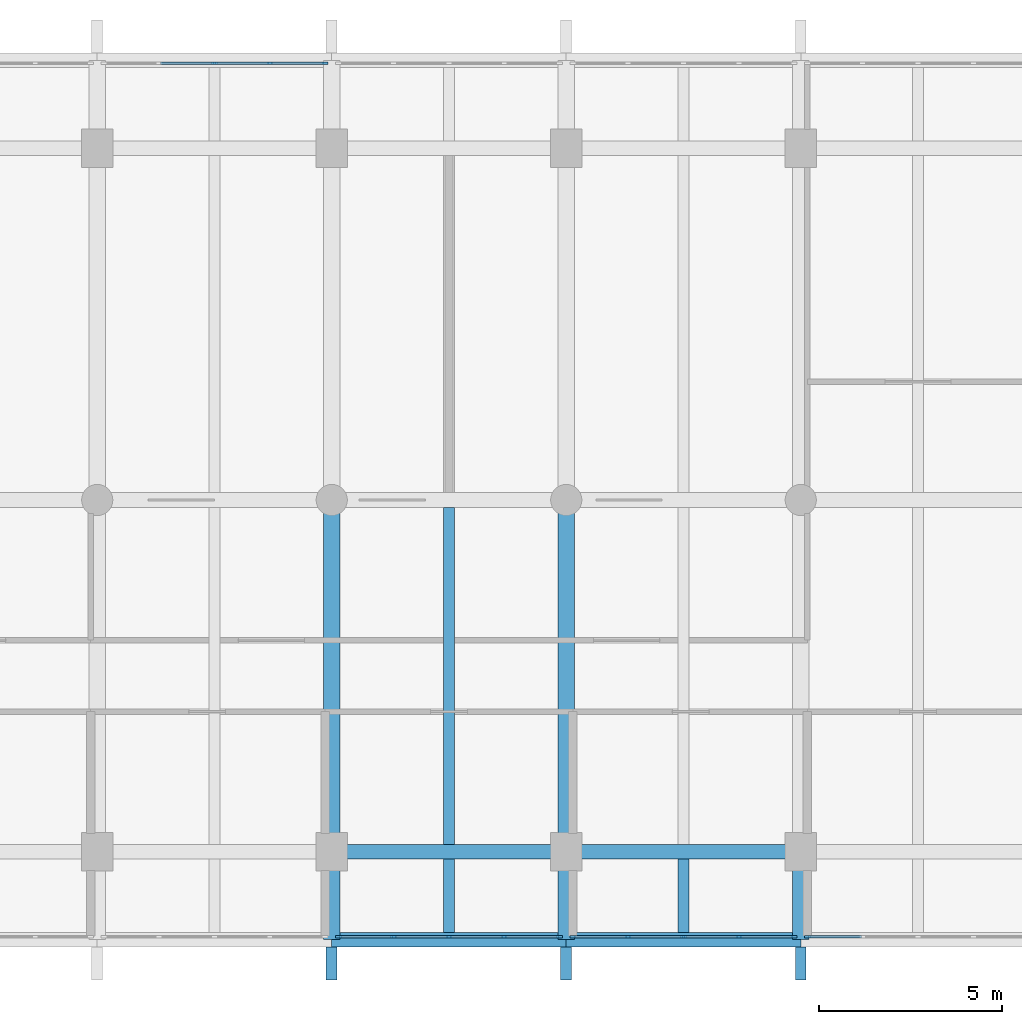
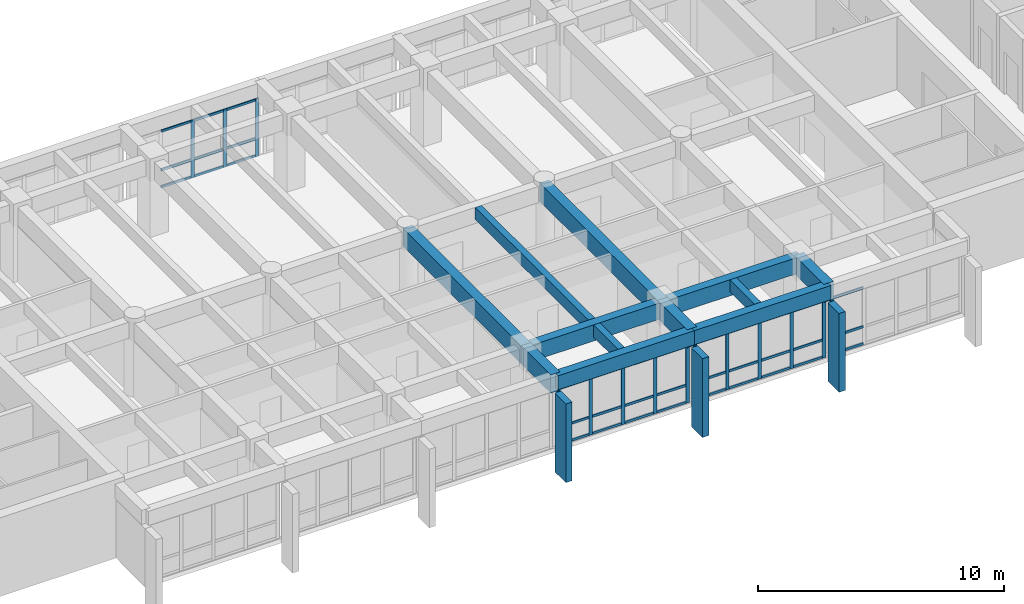
# One storey, part 4 of 15: 53 members, 12 beams, 4 elements without a shape of their own.
"""IFC4 building model written with IfcOpenShell, lengths in metres."""

from ifc_helpers import new_model, si_unit, direction, frame, origin, origin_2d, place, context, subcontext, project, spatial, rectangle, extrude, material, layer, layer_set, material_profile, profile_set, type_object, element, aggregate, save


model = new_model("IFC4")

# Units and contexts
model_context = context("Model", 3, precision=1e-05, world=origin(), true_north=direction((0.0, 1.0)))
body_context = subcontext(model_context, "Body", "Model", "MODEL_VIEW")
ifc_project = project(units=[si_unit("LENGTHUNIT", "METRE"), si_unit("AREAUNIT", "SQUARE_METRE"), si_unit("VOLUMEUNIT", "CUBIC_METRE"), si_unit("PLANEANGLEUNIT", "RADIAN"), si_unit("MASSUNIT", "GRAM", prefix="KILO")], contexts=[model_context])

# Site, building, storey
site_placement = place(None, origin())
site = spatial("IfcSite", under=ifc_project, at=site_placement, CompositionType="ELEMENT")
building_placement = place(site_placement, origin())
building = spatial("IfcBuilding", under=site, at=building_placement, Name="Fogon Plaza Fire Station and Headquarters Tower", CompositionType="ELEMENT")
storey_placement = place(building_placement, frame((0.0, 0.0, 56.10009765625)))
storey = spatial("IfcBuildingStorey", under=building, at=storey_placement, Name="L14", CompositionType="ELEMENT", Elevation=56.10009765625)

# Beams
ifc_material_1 = material(Name="Concrete C40", Category="concrete")
ifc_material_profile_1 = material_profile(ifc_material_1, rectangle(XDim=0.39990234375, YDim=0.699951171875, at=origin_2d()), Name="RC 400x700")
ifc_profile_set_1 = profile_set([ifc_material_profile_1], Name="Concrete C40")
beam_type_1 = type_object("IfcBeamType", Name="BEAM RC 400x700", PredefinedType="BEAM", material=ifc_profile_set_1)
beam_1_placement = place(storey_placement, frame((44.800048828125, 31.199951171875, 3.329833984375), z_axis=(1.0, 0.0, 0.0), x_axis=(0.0, 1.0, 0.0)))
element("IfcBeam", 1, at=beam_1_placement, inside=storey, type_object=beam_type_1, Name="beam-L14-042", PredefinedType="BEAM", context=body_context, shape_type="SweptSolid", body=[
    extrude(rectangle(XDim=0.39990234375, YDim=0.699951171875, at=origin_2d()), origin(), (0.0, 0.0, 1.0), 6.39990234375),
])
beam_2_placement = place(storey_placement, frame((51.199951171875, 31.199951171875, 3.329833984375), z_axis=(1.0, 0.0, 0.0), x_axis=(0.0, 1.0, 0.0)))
element("IfcBeam", 2, at=beam_2_placement, inside=storey, type_object=beam_type_1, Name="beam-L14-043", PredefinedType="BEAM", context=body_context, shape_type="SweptSolid", body=[
    extrude(rectangle(XDim=0.39990234375, YDim=0.699951171875, at=origin_2d()), origin(), (0.0, 0.0, 1.0), 6.400146484375),
])
ifc_material_2 = material(Name="Concrete C40", Category="concrete")
ifc_material_profile_2 = material_profile(ifc_material_2, rectangle(XDim=0.39990234375, YDim=0.800048828125, at=origin_2d()), Name="RC 400x800")
ifc_profile_set_2 = profile_set([ifc_material_profile_2], Name="Concrete C40")
beam_type_2 = type_object("IfcBeamType", Name="BEAM RC 400x800", PredefinedType="BEAM", material=ifc_profile_set_2)
beam_3_placement = place(storey_placement, frame((44.800048828125, 33.60009765625, 3.27978515625), z_axis=(1.0, 0.0, 0.0), x_axis=(0.0, 1.0, 0.0)))
element("IfcBeam", 3, at=beam_3_placement, inside=storey, type_object=beam_type_2, Name="beam-L14-024", PredefinedType="BEAM", context=body_context, shape_type="SweptSolid", body=[
    extrude(rectangle(XDim=0.39990234375, YDim=0.800048828125, at=origin_2d()), origin(), (0.0, 0.0, 1.0), 6.39990234375),
])
beam_4_placement = place(storey_placement, frame((51.199951171875, 33.60009765625, 3.27978515625), z_axis=(1.0, 0.0, 0.0), x_axis=(0.0, 1.0, 0.0)))
element("IfcBeam", 4, at=beam_4_placement, inside=storey, type_object=beam_type_2, Name="beam-L14-025", PredefinedType="BEAM", context=body_context, shape_type="SweptSolid", body=[
    extrude(rectangle(XDim=0.39990234375, YDim=0.800048828125, at=origin_2d()), origin(), (0.0, 0.0, 1.0), 6.400146484375),
])
ifc_material_3 = material(Name="Concrete C40", Category="concrete")
ifc_material_profile_3 = material_profile(ifc_material_3, rectangle(XDim=0.449951171875, YDim=0.89990234375, at=origin_2d()), Name="RC 450x900")
ifc_profile_set_3 = profile_set([ifc_material_profile_3], Name="Concrete C40")
beam_type_3 = type_object("IfcBeamType", Name="BEAM RC 450x900", PredefinedType="BEAM", material=ifc_profile_set_3)
for number, where, z_axis, x_axis, name in (
    (5, (44.800048828125, 33.60009765625, 3.22998046875), (0.0, 1.0, 0.0), (-1.0, 0.0, 0.0), "beam-L14-010"),
    (6, (51.199951171875, 33.60009765625, 3.22998046875), (0.0, 1.0, 0.0), (-1.0, 0.0, 0.0), "beam-L14-014"),
):
    element("IfcBeam", number, at=place(storey_placement, frame(where, z_axis=z_axis, x_axis=x_axis)), inside=storey, type_object=beam_type_3, Name=name, PredefinedType="BEAM", context=body_context, shape_type="SweptSolid", body=[
        extrude(rectangle(XDim=0.449951171875, YDim=0.89990234375, at=origin_2d()), origin(), (0.0, 0.0, 1.0), 9.599853515625),
    ])
ifc_material_4 = material(Name="Concrete C40", Category="concrete")
ifc_material_profile_4 = material_profile(ifc_material_4, rectangle(XDim=0.449951171875, YDim=0.89990234375, at=origin_2d()), Name="RC 450x900")
ifc_profile_set_4 = profile_set([ifc_material_profile_4], Name="Concrete C40")
beam_type_4 = type_object("IfcBeamType", Name="BEAM RC 450x900 SPAN 0.0 TO 3.0 M", PredefinedType="BEAM", material=ifc_profile_set_4)
for number, where, z_axis, x_axis, name in (
    (7, (44.800048828125, 31.199951171875, 3.22998046875), (0.0, 1.0, 0.0), (-1.0, 0.0, 0.0), "beam-L14-009"),
    (8, (51.199951171875, 31.199951171875, 3.22998046875), (0.0, 1.0, 0.0), (-1.0, 0.0, 0.0), "beam-L14-013"),
    (9, (57.60009765625, 31.199951171875, 3.22998046875), (0.0, 1.0, 0.0), (-1.0, 0.0, 0.0), "beam-L14-017"),
):
    element("IfcBeam", number, at=place(storey_placement, frame(where, z_axis=z_axis, x_axis=x_axis)), inside=storey, type_object=beam_type_4, Name=name, PredefinedType="BEAM", context=body_context, shape_type="SweptSolid", body=[
        extrude(rectangle(XDim=0.449951171875, YDim=0.89990234375, at=origin_2d()), origin(), (0.0, 0.0, 1.0), 2.400146484375),
    ])

# Curtain wall, members
ifc_material_5 = material(Name="Aluminium and glass", Category="aluminium")
ifc_layer = layer(ifc_material_5, 0.14990234375)
ifc_layer_set = layer_set([ifc_layer], Name="Aluminium and glass")
curtain_wall_type = type_object("IfcCurtainWallType", Name="Unitised Curtain Wall Run 6100x2880", PredefinedType="NOTDEFINED", material=ifc_layer_set)
curtain_wall_1_placement = place(storey_placement, origin())
curtain_wall_1 = element("IfcCurtainWall", 10, at=curtain_wall_1_placement, inside=storey, type_object=curtain_wall_type, Name="CW-6100x2880 S4 L14", PredefinedType="NOTDEFINED")
ifc_material_6 = material(Name="Aluminium", Category="aluminium")
ifc_material_profile_5 = material_profile(ifc_material_6, rectangle(XDim=0.06005859375, YDim=0.159912109375, at=origin_2d()), Name="Curtain Wall Mullion 60x160")
ifc_profile_set_5 = profile_set([ifc_material_profile_5], Name="Aluminium")
member_type_1 = type_object("IfcMemberType", Name="Curtain Wall Mullion 60x160", PredefinedType="MULLION", material=ifc_profile_set_5)
member_1_placement = place(storey_placement, frame((44.97998046875, 31.280029296875, 0.0), z_axis=(0.0, 0.0, 1.0), x_axis=(0.0, 1.0, 0.0)))
member_1 = element("IfcMember", 11, at=member_1_placement, type_object=member_type_1, Name="CW-6100x2880 mullion 1", PredefinedType="MULLION", context=body_context, shape_type="SweptSolid", body=[
    extrude(rectangle(XDim=0.06005859375, YDim=0.159912109375, at=origin_2d()), origin(), (0.0, 0.0, 1.0), 2.8798828125),
])
member_2_placement = place(storey_placement, frame((46.489990234375, 31.280029296875, 0.0), z_axis=(0.0, 0.0, 1.0), x_axis=(0.0, 1.0, 0.0)))
member_2 = element("IfcMember", 12, at=member_2_placement, type_object=member_type_1, Name="CW-6100x2880 mullion 2", PredefinedType="MULLION", context=body_context, shape_type="SweptSolid", body=[
    extrude(rectangle(XDim=0.06005859375, YDim=0.159912109375, at=origin_2d()), origin(), (0.0, 0.0, 1.0), 2.8798828125),
])
member_3_placement = place(storey_placement, frame((48.0, 31.280029296875, 0.0), z_axis=(0.0, 0.0, 1.0), x_axis=(0.0, 1.0, 0.0)))
member_3 = element("IfcMember", 13, at=member_3_placement, type_object=member_type_1, Name="CW-6100x2880 mullion 3", PredefinedType="MULLION", context=body_context, shape_type="SweptSolid", body=[
    extrude(rectangle(XDim=0.06005859375, YDim=0.159912109375, at=origin_2d()), origin(), (0.0, 0.0, 1.0), 2.8798828125),
])
member_4_placement = place(storey_placement, frame((49.510009765625, 31.280029296875, 0.0), z_axis=(0.0, 0.0, 1.0), x_axis=(0.0, 1.0, 0.0)))
member_4 = element("IfcMember", 14, at=member_4_placement, type_object=member_type_1, Name="CW-6100x2880 mullion 4", PredefinedType="MULLION", context=body_context, shape_type="SweptSolid", body=[
    extrude(rectangle(XDim=0.06005859375, YDim=0.159912109375, at=origin_2d()), origin(), (0.0, 0.0, 1.0), 2.8798828125),
])
member_5_placement = place(storey_placement, frame((51.02001953125, 31.280029296875, 0.0), z_axis=(0.0, 0.0, 1.0), x_axis=(0.0, 1.0, 0.0)))
member_5 = element("IfcMember", 15, at=member_5_placement, type_object=member_type_1, Name="CW-6100x2880 mullion 5", PredefinedType="MULLION", context=body_context, shape_type="SweptSolid", body=[
    extrude(rectangle(XDim=0.06005859375, YDim=0.159912109375, at=origin_2d()), origin(), (0.0, 0.0, 1.0), 2.8798828125),
])

curtain_wall_2_placement = place(storey_placement, origin())
curtain_wall_2 = element("IfcCurtainWall", 16, at=curtain_wall_2_placement, inside=storey, type_object=curtain_wall_type, Name="CW-6100x2880 S5 L14", PredefinedType="NOTDEFINED")
member_6_placement = place(storey_placement, frame((51.3798828125, 31.280029296875, 0.0), z_axis=(0.0, 0.0, 1.0), x_axis=(0.0, 1.0, 0.0)))
member_6 = element("IfcMember", 17, at=member_6_placement, type_object=member_type_1, Name="CW-6100x2880 mullion 1", PredefinedType="MULLION", context=body_context, shape_type="SweptSolid", body=[
    extrude(rectangle(XDim=0.06005859375, YDim=0.159912109375, at=origin_2d()), origin(), (0.0, 0.0, 1.0), 2.8798828125),
])
member_7_placement = place(storey_placement, frame((52.889892578125, 31.280029296875, 0.0), z_axis=(0.0, 0.0, 1.0), x_axis=(0.0, 1.0, 0.0)))
member_7 = element("IfcMember", 18, at=member_7_placement, type_object=member_type_1, Name="CW-6100x2880 mullion 2", PredefinedType="MULLION", context=body_context, shape_type="SweptSolid", body=[
    extrude(rectangle(XDim=0.06005859375, YDim=0.159912109375, at=origin_2d()), origin(), (0.0, 0.0, 1.0), 2.8798828125),
])
member_8_placement = place(storey_placement, frame((54.39990234375, 31.280029296875, 0.0), z_axis=(0.0, 0.0, 1.0), x_axis=(0.0, 1.0, 0.0)))
member_8 = element("IfcMember", 19, at=member_8_placement, type_object=member_type_1, Name="CW-6100x2880 mullion 3", PredefinedType="MULLION", context=body_context, shape_type="SweptSolid", body=[
    extrude(rectangle(XDim=0.06005859375, YDim=0.159912109375, at=origin_2d()), origin(), (0.0, 0.0, 1.0), 2.8798828125),
])
member_9_placement = place(storey_placement, frame((55.909912109375, 31.280029296875, 0.0), z_axis=(0.0, 0.0, 1.0), x_axis=(0.0, 1.0, 0.0)))
member_9 = element("IfcMember", 20, at=member_9_placement, type_object=member_type_1, Name="CW-6100x2880 mullion 4", PredefinedType="MULLION", context=body_context, shape_type="SweptSolid", body=[
    extrude(rectangle(XDim=0.06005859375, YDim=0.159912109375, at=origin_2d()), origin(), (0.0, 0.0, 1.0), 2.8798828125),
])
member_10_placement = place(storey_placement, frame((57.419921875, 31.280029296875, 0.0), z_axis=(0.0, 0.0, 1.0), x_axis=(0.0, 1.0, 0.0)))
member_10 = element("IfcMember", 21, at=member_10_placement, type_object=member_type_1, Name="CW-6100x2880 mullion 5", PredefinedType="MULLION", context=body_context, shape_type="SweptSolid", body=[
    extrude(rectangle(XDim=0.06005859375, YDim=0.159912109375, at=origin_2d()), origin(), (0.0, 0.0, 1.0), 2.8798828125),
])

# Curtain wall, member
curtain_wall_3_placement = place(storey_placement, origin())
curtain_wall_3 = element("IfcCurtainWall", 22, at=curtain_wall_3_placement, inside=storey, type_object=curtain_wall_type, Name="CW-6100x2880 S6 L14", PredefinedType="NOTDEFINED")
member_11_placement = place(storey_placement, frame((57.780029296875, 31.280029296875, 0.0), z_axis=(0.0, 0.0, 1.0), x_axis=(0.0, 1.0, 0.0)))
member_11 = element("IfcMember", 23, at=member_11_placement, type_object=member_type_1, Name="CW-6100x2880 mullion 1", PredefinedType="MULLION", context=body_context, shape_type="SweptSolid", body=[
    extrude(rectangle(XDim=0.06005859375, YDim=0.159912109375, at=origin_2d()), origin(), (0.0, 0.0, 1.0), 2.8798828125),
])

# Curtain wall, members
curtain_wall_4_placement = place(storey_placement, origin())
curtain_wall_4 = element("IfcCurtainWall", 24, at=curtain_wall_4_placement, inside=storey, type_object=curtain_wall_type, Name="CW-6100x2880 N3 L14", PredefinedType="NOTDEFINED")
member_12_placement = place(storey_placement, frame((41.60009765625, 55.1201171875, 0.0), z_axis=(0.0, 0.0, 1.0), x_axis=(0.0, 1.0, 0.0)))
member_12 = element("IfcMember", 25, at=member_12_placement, type_object=member_type_1, Name="CW-6100x2880 mullion 3", PredefinedType="MULLION", context=body_context, shape_type="SweptSolid", body=[
    extrude(rectangle(XDim=0.06005859375, YDim=0.159912109375, at=origin_2d()), origin(), (0.0, 0.0, 1.0), 2.8798828125),
])
member_13_placement = place(storey_placement, frame((43.110107421875, 55.1201171875, 0.0), z_axis=(0.0, 0.0, 1.0), x_axis=(0.0, 1.0, 0.0)))
member_13 = element("IfcMember", 26, at=member_13_placement, type_object=member_type_1, Name="CW-6100x2880 mullion 4", PredefinedType="MULLION", context=body_context, shape_type="SweptSolid", body=[
    extrude(rectangle(XDim=0.06005859375, YDim=0.159912109375, at=origin_2d()), origin(), (0.0, 0.0, 1.0), 2.8798828125),
])
member_14_placement = place(storey_placement, frame((44.6201171875, 55.1201171875, 0.0), z_axis=(0.0, 0.0, 1.0), x_axis=(0.0, 1.0, 0.0)))
member_14 = element("IfcMember", 27, at=member_14_placement, type_object=member_type_1, Name="CW-6100x2880 mullion 5", PredefinedType="MULLION", context=body_context, shape_type="SweptSolid", body=[
    extrude(rectangle(XDim=0.06005859375, YDim=0.159912109375, at=origin_2d()), origin(), (0.0, 0.0, 1.0), 2.8798828125),
])

# Member
ifc_material_7 = material(Name="Aluminium", Category="aluminium")
ifc_material_profile_6 = material_profile(ifc_material_7, rectangle(XDim=0.06005859375, YDim=0.1201171875, at=origin_2d()), Name="Curtain Wall Transom 60x120")
ifc_profile_set_6 = profile_set([ifc_material_profile_6], Name="Aluminium")
member_type_2 = type_object("IfcMemberType", Name="Curtain Wall Transom 60x120", PredefinedType="USERDEFINED", material=ifc_profile_set_6)
member_15_placement = place(storey_placement, frame((45.010009765625, 31.280029296875, 0.059814453125), z_axis=(1.0, 0.0, 0.0), x_axis=(0.0, 1.0, 0.0)))
member_15 = element("IfcMember", 28, at=member_15_placement, type_object=member_type_2, Name="CW-6100x2880 transom 1.1", ObjectType="TRANSOM", PredefinedType="USERDEFINED", context=body_context, shape_type="SweptSolid", body=[
    extrude(rectangle(XDim=0.06005859375, YDim=0.1201171875, at=origin_2d()), origin(), (0.0, 0.0, 1.0), 1.449951171875),
])

member_16_placement = place(storey_placement, frame((45.010009765625, 31.280029296875, 0.89990234375), z_axis=(1.0, 0.0, 0.0), x_axis=(0.0, 1.0, 0.0)))
member_16 = element("IfcMember", 29, at=member_16_placement, type_object=member_type_2, Name="CW-6100x2880 transom 1.2", ObjectType="TRANSOM", PredefinedType="USERDEFINED", context=body_context, shape_type="SweptSolid", body=[
    extrude(rectangle(XDim=0.06005859375, YDim=0.1201171875, at=origin_2d()), origin(), (0.0, 0.0, 1.0), 1.449951171875),
])

member_17_placement = place(storey_placement, frame((45.010009765625, 31.280029296875, 2.81982421875), z_axis=(1.0, 0.0, 0.0), x_axis=(0.0, 1.0, 0.0)))
member_17 = element("IfcMember", 30, at=member_17_placement, type_object=member_type_2, Name="CW-6100x2880 transom 1.3", ObjectType="TRANSOM", PredefinedType="USERDEFINED", context=body_context, shape_type="SweptSolid", body=[
    extrude(rectangle(XDim=0.06005859375, YDim=0.1201171875, at=origin_2d()), origin(), (0.0, 0.0, 1.0), 1.449951171875),
])

member_18_placement = place(storey_placement, frame((46.52001953125, 31.280029296875, 0.059814453125), z_axis=(1.0, 0.0, 0.0), x_axis=(0.0, 1.0, 0.0)))
member_18 = element("IfcMember", 31, at=member_18_placement, type_object=member_type_2, Name="CW-6100x2880 transom 2.1", ObjectType="TRANSOM", PredefinedType="USERDEFINED", context=body_context, shape_type="SweptSolid", body=[
    extrude(rectangle(XDim=0.06005859375, YDim=0.1201171875, at=origin_2d()), origin(), (0.0, 0.0, 1.0), 1.449951171875),
])

member_19_placement = place(storey_placement, frame((46.52001953125, 31.280029296875, 0.89990234375), z_axis=(1.0, 0.0, 0.0), x_axis=(0.0, 1.0, 0.0)))
member_19 = element("IfcMember", 32, at=member_19_placement, type_object=member_type_2, Name="CW-6100x2880 transom 2.2", ObjectType="TRANSOM", PredefinedType="USERDEFINED", context=body_context, shape_type="SweptSolid", body=[
    extrude(rectangle(XDim=0.06005859375, YDim=0.1201171875, at=origin_2d()), origin(), (0.0, 0.0, 1.0), 1.449951171875),
])

member_20_placement = place(storey_placement, frame((46.52001953125, 31.280029296875, 2.81982421875), z_axis=(1.0, 0.0, 0.0), x_axis=(0.0, 1.0, 0.0)))
member_20 = element("IfcMember", 33, at=member_20_placement, type_object=member_type_2, Name="CW-6100x2880 transom 2.3", ObjectType="TRANSOM", PredefinedType="USERDEFINED", context=body_context, shape_type="SweptSolid", body=[
    extrude(rectangle(XDim=0.06005859375, YDim=0.1201171875, at=origin_2d()), origin(), (0.0, 0.0, 1.0), 1.449951171875),
])

member_21_placement = place(storey_placement, frame((48.030029296875, 31.280029296875, 0.059814453125), z_axis=(1.0, 0.0, 0.0), x_axis=(0.0, 1.0, 0.0)))
member_21 = element("IfcMember", 34, at=member_21_placement, type_object=member_type_2, Name="CW-6100x2880 transom 3.1", ObjectType="TRANSOM", PredefinedType="USERDEFINED", context=body_context, shape_type="SweptSolid", body=[
    extrude(rectangle(XDim=0.06005859375, YDim=0.1201171875, at=origin_2d()), origin(), (0.0, 0.0, 1.0), 1.449951171875),
])

member_22_placement = place(storey_placement, frame((48.030029296875, 31.280029296875, 0.89990234375), z_axis=(1.0, 0.0, 0.0), x_axis=(0.0, 1.0, 0.0)))
member_22 = element("IfcMember", 35, at=member_22_placement, type_object=member_type_2, Name="CW-6100x2880 transom 3.2", ObjectType="TRANSOM", PredefinedType="USERDEFINED", context=body_context, shape_type="SweptSolid", body=[
    extrude(rectangle(XDim=0.06005859375, YDim=0.1201171875, at=origin_2d()), origin(), (0.0, 0.0, 1.0), 1.449951171875),
])

member_23_placement = place(storey_placement, frame((48.030029296875, 31.280029296875, 2.81982421875), z_axis=(1.0, 0.0, 0.0), x_axis=(0.0, 1.0, 0.0)))
member_23 = element("IfcMember", 36, at=member_23_placement, type_object=member_type_2, Name="CW-6100x2880 transom 3.3", ObjectType="TRANSOM", PredefinedType="USERDEFINED", context=body_context, shape_type="SweptSolid", body=[
    extrude(rectangle(XDim=0.06005859375, YDim=0.1201171875, at=origin_2d()), origin(), (0.0, 0.0, 1.0), 1.449951171875),
])

member_24_placement = place(storey_placement, frame((49.5400390625, 31.280029296875, 0.059814453125), z_axis=(1.0, 0.0, 0.0), x_axis=(0.0, 1.0, 0.0)))
member_24 = element("IfcMember", 37, at=member_24_placement, type_object=member_type_2, Name="CW-6100x2880 transom 4.1", ObjectType="TRANSOM", PredefinedType="USERDEFINED", context=body_context, shape_type="SweptSolid", body=[
    extrude(rectangle(XDim=0.06005859375, YDim=0.1201171875, at=origin_2d()), origin(), (0.0, 0.0, 1.0), 1.449951171875),
])

member_25_placement = place(storey_placement, frame((49.5400390625, 31.280029296875, 0.89990234375), z_axis=(1.0, 0.0, 0.0), x_axis=(0.0, 1.0, 0.0)))
member_25 = element("IfcMember", 38, at=member_25_placement, type_object=member_type_2, Name="CW-6100x2880 transom 4.2", ObjectType="TRANSOM", PredefinedType="USERDEFINED", context=body_context, shape_type="SweptSolid", body=[
    extrude(rectangle(XDim=0.06005859375, YDim=0.1201171875, at=origin_2d()), origin(), (0.0, 0.0, 1.0), 1.449951171875),
])

member_26_placement = place(storey_placement, frame((49.5400390625, 31.280029296875, 2.81982421875), z_axis=(1.0, 0.0, 0.0), x_axis=(0.0, 1.0, 0.0)))
member_26 = element("IfcMember", 39, at=member_26_placement, type_object=member_type_2, Name="CW-6100x2880 transom 4.3", ObjectType="TRANSOM", PredefinedType="USERDEFINED", context=body_context, shape_type="SweptSolid", body=[
    extrude(rectangle(XDim=0.06005859375, YDim=0.1201171875, at=origin_2d()), origin(), (0.0, 0.0, 1.0), 1.449951171875),
])

aggregate(curtain_wall_1, [member_1, member_2, member_3, member_4, member_5, member_15, member_16, member_17, member_18, member_19, member_20, member_21, member_22, member_23, member_24, member_25, member_26])

member_27_placement = place(storey_placement, frame((51.409912109375, 31.280029296875, 0.059814453125), z_axis=(1.0, 0.0, 0.0), x_axis=(0.0, 1.0, 0.0)))
member_27 = element("IfcMember", 40, at=member_27_placement, type_object=member_type_2, Name="CW-6100x2880 transom 1.1", ObjectType="TRANSOM", PredefinedType="USERDEFINED", context=body_context, shape_type="SweptSolid", body=[
    extrude(rectangle(XDim=0.06005859375, YDim=0.1201171875, at=origin_2d()), origin(), (0.0, 0.0, 1.0), 1.4501953125),
])

member_28_placement = place(storey_placement, frame((51.409912109375, 31.280029296875, 0.89990234375), z_axis=(1.0, 0.0, 0.0), x_axis=(0.0, 1.0, 0.0)))
member_28 = element("IfcMember", 41, at=member_28_placement, type_object=member_type_2, Name="CW-6100x2880 transom 1.2", ObjectType="TRANSOM", PredefinedType="USERDEFINED", context=body_context, shape_type="SweptSolid", body=[
    extrude(rectangle(XDim=0.06005859375, YDim=0.1201171875, at=origin_2d()), origin(), (0.0, 0.0, 1.0), 1.4501953125),
])

member_29_placement = place(storey_placement, frame((51.409912109375, 31.280029296875, 2.81982421875), z_axis=(1.0, 0.0, 0.0), x_axis=(0.0, 1.0, 0.0)))
member_29 = element("IfcMember", 42, at=member_29_placement, type_object=member_type_2, Name="CW-6100x2880 transom 1.3", ObjectType="TRANSOM", PredefinedType="USERDEFINED", context=body_context, shape_type="SweptSolid", body=[
    extrude(rectangle(XDim=0.06005859375, YDim=0.1201171875, at=origin_2d()), origin(), (0.0, 0.0, 1.0), 1.4501953125),
])

member_30_placement = place(storey_placement, frame((52.919921875, 31.280029296875, 0.059814453125), z_axis=(1.0, 0.0, 0.0), x_axis=(0.0, 1.0, 0.0)))
member_30 = element("IfcMember", 43, at=member_30_placement, type_object=member_type_2, Name="CW-6100x2880 transom 2.1", ObjectType="TRANSOM", PredefinedType="USERDEFINED", context=body_context, shape_type="SweptSolid", body=[
    extrude(rectangle(XDim=0.06005859375, YDim=0.1201171875, at=origin_2d()), origin(), (0.0, 0.0, 1.0), 1.4501953125),
])

member_31_placement = place(storey_placement, frame((52.919921875, 31.280029296875, 0.89990234375), z_axis=(1.0, 0.0, 0.0), x_axis=(0.0, 1.0, 0.0)))
member_31 = element("IfcMember", 44, at=member_31_placement, type_object=member_type_2, Name="CW-6100x2880 transom 2.2", ObjectType="TRANSOM", PredefinedType="USERDEFINED", context=body_context, shape_type="SweptSolid", body=[
    extrude(rectangle(XDim=0.06005859375, YDim=0.1201171875, at=origin_2d()), origin(), (0.0, 0.0, 1.0), 1.4501953125),
])

member_32_placement = place(storey_placement, frame((52.919921875, 31.280029296875, 2.81982421875), z_axis=(1.0, 0.0, 0.0), x_axis=(0.0, 1.0, 0.0)))
member_32 = element("IfcMember", 45, at=member_32_placement, type_object=member_type_2, Name="CW-6100x2880 transom 2.3", ObjectType="TRANSOM", PredefinedType="USERDEFINED", context=body_context, shape_type="SweptSolid", body=[
    extrude(rectangle(XDim=0.06005859375, YDim=0.1201171875, at=origin_2d()), origin(), (0.0, 0.0, 1.0), 1.4501953125),
])

member_33_placement = place(storey_placement, frame((54.429931640625, 31.280029296875, 0.059814453125), z_axis=(1.0, 0.0, 0.0), x_axis=(0.0, 1.0, 0.0)))
member_33 = element("IfcMember", 46, at=member_33_placement, type_object=member_type_2, Name="CW-6100x2880 transom 3.1", ObjectType="TRANSOM", PredefinedType="USERDEFINED", context=body_context, shape_type="SweptSolid", body=[
    extrude(rectangle(XDim=0.06005859375, YDim=0.1201171875, at=origin_2d()), origin(), (0.0, 0.0, 1.0), 1.449951171875),
])

member_34_placement = place(storey_placement, frame((54.429931640625, 31.280029296875, 0.89990234375), z_axis=(1.0, 0.0, 0.0), x_axis=(0.0, 1.0, 0.0)))
member_34 = element("IfcMember", 47, at=member_34_placement, type_object=member_type_2, Name="CW-6100x2880 transom 3.2", ObjectType="TRANSOM", PredefinedType="USERDEFINED", context=body_context, shape_type="SweptSolid", body=[
    extrude(rectangle(XDim=0.06005859375, YDim=0.1201171875, at=origin_2d()), origin(), (0.0, 0.0, 1.0), 1.449951171875),
])

member_35_placement = place(storey_placement, frame((54.429931640625, 31.280029296875, 2.81982421875), z_axis=(1.0, 0.0, 0.0), x_axis=(0.0, 1.0, 0.0)))
member_35 = element("IfcMember", 48, at=member_35_placement, type_object=member_type_2, Name="CW-6100x2880 transom 3.3", ObjectType="TRANSOM", PredefinedType="USERDEFINED", context=body_context, shape_type="SweptSolid", body=[
    extrude(rectangle(XDim=0.06005859375, YDim=0.1201171875, at=origin_2d()), origin(), (0.0, 0.0, 1.0), 1.449951171875),
])

member_36_placement = place(storey_placement, frame((55.93994140625, 31.280029296875, 0.059814453125), z_axis=(1.0, 0.0, 0.0), x_axis=(0.0, 1.0, 0.0)))
member_36 = element("IfcMember", 49, at=member_36_placement, type_object=member_type_2, Name="CW-6100x2880 transom 4.1", ObjectType="TRANSOM", PredefinedType="USERDEFINED", context=body_context, shape_type="SweptSolid", body=[
    extrude(rectangle(XDim=0.06005859375, YDim=0.1201171875, at=origin_2d()), origin(), (0.0, 0.0, 1.0), 1.449951171875),
])

member_37_placement = place(storey_placement, frame((55.93994140625, 31.280029296875, 0.89990234375), z_axis=(1.0, 0.0, 0.0), x_axis=(0.0, 1.0, 0.0)))
member_37 = element("IfcMember", 50, at=member_37_placement, type_object=member_type_2, Name="CW-6100x2880 transom 4.2", ObjectType="TRANSOM", PredefinedType="USERDEFINED", context=body_context, shape_type="SweptSolid", body=[
    extrude(rectangle(XDim=0.06005859375, YDim=0.1201171875, at=origin_2d()), origin(), (0.0, 0.0, 1.0), 1.449951171875),
])

member_38_placement = place(storey_placement, frame((55.93994140625, 31.280029296875, 2.81982421875), z_axis=(1.0, 0.0, 0.0), x_axis=(0.0, 1.0, 0.0)))
member_38 = element("IfcMember", 51, at=member_38_placement, type_object=member_type_2, Name="CW-6100x2880 transom 4.3", ObjectType="TRANSOM", PredefinedType="USERDEFINED", context=body_context, shape_type="SweptSolid", body=[
    extrude(rectangle(XDim=0.06005859375, YDim=0.1201171875, at=origin_2d()), origin(), (0.0, 0.0, 1.0), 1.449951171875),
])

aggregate(curtain_wall_2, [member_6, member_7, member_8, member_9, member_10, member_27, member_28, member_29, member_30, member_31, member_32, member_33, member_34, member_35, member_36, member_37, member_38])

member_39_placement = place(storey_placement, frame((57.81005859375, 31.280029296875, 0.059814453125), z_axis=(1.0, 0.0, 0.0), x_axis=(0.0, 1.0, 0.0)))
member_39 = element("IfcMember", 52, at=member_39_placement, type_object=member_type_2, Name="CW-6100x2880 transom 1.1", ObjectType="TRANSOM", PredefinedType="USERDEFINED", context=body_context, shape_type="SweptSolid", body=[
    extrude(rectangle(XDim=0.06005859375, YDim=0.1201171875, at=origin_2d()), origin(), (0.0, 0.0, 1.0), 1.449951171875),
])

member_40_placement = place(storey_placement, frame((57.81005859375, 31.280029296875, 0.89990234375), z_axis=(1.0, 0.0, 0.0), x_axis=(0.0, 1.0, 0.0)))
member_40 = element("IfcMember", 53, at=member_40_placement, type_object=member_type_2, Name="CW-6100x2880 transom 1.2", ObjectType="TRANSOM", PredefinedType="USERDEFINED", context=body_context, shape_type="SweptSolid", body=[
    extrude(rectangle(XDim=0.06005859375, YDim=0.1201171875, at=origin_2d()), origin(), (0.0, 0.0, 1.0), 1.449951171875),
])

member_41_placement = place(storey_placement, frame((57.81005859375, 31.280029296875, 2.81982421875), z_axis=(1.0, 0.0, 0.0), x_axis=(0.0, 1.0, 0.0)))
member_41 = element("IfcMember", 54, at=member_41_placement, type_object=member_type_2, Name="CW-6100x2880 transom 1.3", ObjectType="TRANSOM", PredefinedType="USERDEFINED", context=body_context, shape_type="SweptSolid", body=[
    extrude(rectangle(XDim=0.06005859375, YDim=0.1201171875, at=origin_2d()), origin(), (0.0, 0.0, 1.0), 1.449951171875),
])

aggregate(curtain_wall_3, [member_11, member_39, member_40, member_41])

member_42_placement = place(storey_placement, frame((40.1201171875, 55.1201171875, 0.059814453125), z_axis=(1.0, 0.0, 0.0), x_axis=(0.0, 1.0, 0.0)))
member_42 = element("IfcMember", 55, at=member_42_placement, type_object=member_type_2, Name="CW-6100x2880 transom 2.1", ObjectType="TRANSOM", PredefinedType="USERDEFINED", context=body_context, shape_type="SweptSolid", body=[
    extrude(rectangle(XDim=0.06005859375, YDim=0.1201171875, at=origin_2d()), origin(), (0.0, 0.0, 1.0), 1.449951171875),
])

member_43_placement = place(storey_placement, frame((40.1201171875, 55.1201171875, 0.89990234375), z_axis=(1.0, 0.0, 0.0), x_axis=(0.0, 1.0, 0.0)))
member_43 = element("IfcMember", 56, at=member_43_placement, type_object=member_type_2, Name="CW-6100x2880 transom 2.2", ObjectType="TRANSOM", PredefinedType="USERDEFINED", context=body_context, shape_type="SweptSolid", body=[
    extrude(rectangle(XDim=0.06005859375, YDim=0.1201171875, at=origin_2d()), origin(), (0.0, 0.0, 1.0), 1.449951171875),
])

member_44_placement = place(storey_placement, frame((40.1201171875, 55.1201171875, 2.81982421875), z_axis=(1.0, 0.0, 0.0), x_axis=(0.0, 1.0, 0.0)))
member_44 = element("IfcMember", 57, at=member_44_placement, type_object=member_type_2, Name="CW-6100x2880 transom 2.3", ObjectType="TRANSOM", PredefinedType="USERDEFINED", context=body_context, shape_type="SweptSolid", body=[
    extrude(rectangle(XDim=0.06005859375, YDim=0.1201171875, at=origin_2d()), origin(), (0.0, 0.0, 1.0), 1.449951171875),
])

member_45_placement = place(storey_placement, frame((41.6298828125, 55.1201171875, 0.059814453125), z_axis=(1.0, 0.0, 0.0), x_axis=(0.0, 1.0, 0.0)))
member_45 = element("IfcMember", 58, at=member_45_placement, type_object=member_type_2, Name="CW-6100x2880 transom 3.1", ObjectType="TRANSOM", PredefinedType="USERDEFINED", context=body_context, shape_type="SweptSolid", body=[
    extrude(rectangle(XDim=0.06005859375, YDim=0.1201171875, at=origin_2d()), origin(), (0.0, 0.0, 1.0), 1.4501953125),
])

member_46_placement = place(storey_placement, frame((41.6298828125, 55.1201171875, 0.89990234375), z_axis=(1.0, 0.0, 0.0), x_axis=(0.0, 1.0, 0.0)))
member_46 = element("IfcMember", 59, at=member_46_placement, type_object=member_type_2, Name="CW-6100x2880 transom 3.2", ObjectType="TRANSOM", PredefinedType="USERDEFINED", context=body_context, shape_type="SweptSolid", body=[
    extrude(rectangle(XDim=0.06005859375, YDim=0.1201171875, at=origin_2d()), origin(), (0.0, 0.0, 1.0), 1.4501953125),
])

member_47_placement = place(storey_placement, frame((41.6298828125, 55.1201171875, 2.81982421875), z_axis=(1.0, 0.0, 0.0), x_axis=(0.0, 1.0, 0.0)))
member_47 = element("IfcMember", 60, at=member_47_placement, type_object=member_type_2, Name="CW-6100x2880 transom 3.3", ObjectType="TRANSOM", PredefinedType="USERDEFINED", context=body_context, shape_type="SweptSolid", body=[
    extrude(rectangle(XDim=0.06005859375, YDim=0.1201171875, at=origin_2d()), origin(), (0.0, 0.0, 1.0), 1.4501953125),
])

member_48_placement = place(storey_placement, frame((43.139892578125, 55.1201171875, 0.059814453125), z_axis=(1.0, 0.0, 0.0), x_axis=(0.0, 1.0, 0.0)))
member_48 = element("IfcMember", 61, at=member_48_placement, type_object=member_type_2, Name="CW-6100x2880 transom 4.1", ObjectType="TRANSOM", PredefinedType="USERDEFINED", context=body_context, shape_type="SweptSolid", body=[
    extrude(rectangle(XDim=0.06005859375, YDim=0.1201171875, at=origin_2d()), origin(), (0.0, 0.0, 1.0), 1.4501953125),
])

member_49_placement = place(storey_placement, frame((43.139892578125, 55.1201171875, 0.89990234375), z_axis=(1.0, 0.0, 0.0), x_axis=(0.0, 1.0, 0.0)))
member_49 = element("IfcMember", 62, at=member_49_placement, type_object=member_type_2, Name="CW-6100x2880 transom 4.2", ObjectType="TRANSOM", PredefinedType="USERDEFINED", context=body_context, shape_type="SweptSolid", body=[
    extrude(rectangle(XDim=0.06005859375, YDim=0.1201171875, at=origin_2d()), origin(), (0.0, 0.0, 1.0), 1.4501953125),
])

member_50_placement = place(storey_placement, frame((43.139892578125, 55.1201171875, 2.81982421875), z_axis=(1.0, 0.0, 0.0), x_axis=(0.0, 1.0, 0.0)))
member_50 = element("IfcMember", 63, at=member_50_placement, type_object=member_type_2, Name="CW-6100x2880 transom 4.3", ObjectType="TRANSOM", PredefinedType="USERDEFINED", context=body_context, shape_type="SweptSolid", body=[
    extrude(rectangle(XDim=0.06005859375, YDim=0.1201171875, at=origin_2d()), origin(), (0.0, 0.0, 1.0), 1.4501953125),
])

aggregate(curtain_wall_4, [member_12, member_13, member_14, member_42, member_43, member_44, member_45, member_46, member_47, member_48, member_49, member_50])

# Beams
ifc_material_8 = material(Name="Concrete C40", Category="concrete")
ifc_material_profile_7 = material_profile(ifc_material_8, rectangle(XDim=0.300048828125, YDim=0.60009765625, at=origin_2d()), Name="RC 300x600")
ifc_profile_set_7 = profile_set([ifc_material_profile_7], Name="Concrete C40")
beam_type_5 = type_object("IfcBeamType", Name="JOIST RC 300x600", PredefinedType="JOIST", material=ifc_profile_set_7)
beam_5_placement = place(storey_placement, frame((48.0, 33.800048828125, 3.3798828125), z_axis=(0.0, 1.0, 0.0), x_axis=(-1.0, 0.0, 0.0)))
element("IfcBeam", 64, at=beam_5_placement, inside=storey, type_object=beam_type_5, Name="beam-L14-068", PredefinedType="JOIST", context=body_context, shape_type="SweptSolid", body=[
    extrude(rectangle(XDim=0.300048828125, YDim=0.60009765625, at=origin_2d()), origin(), (0.0, 0.0, 1.0), 9.199951171875),
])
ifc_material_9 = material(Name="Concrete C40", Category="concrete")
ifc_material_profile_8 = material_profile(ifc_material_9, rectangle(XDim=0.300048828125, YDim=0.60009765625, at=origin_2d()), Name="RC 300x600")
ifc_profile_set_8 = profile_set([ifc_material_profile_8], Name="Concrete C40")
beam_type_6 = type_object("IfcBeamType", Name="JOIST RC 300x600 SPAN 0.0 TO 3.0 M", PredefinedType="JOIST", material=ifc_profile_set_8)
for number, where, z_axis, x_axis, name in (
    (65, (48.0, 31.39990234375, 3.3798828125), (0.0, 1.0, 0.0), (-1.0, 0.0, 0.0), "beam-L14-067"),
    (66, (54.39990234375, 31.39990234375, 3.3798828125), (0.0, 1.0, 0.0), (-1.0, 0.0, 0.0), "beam-L14-071"),
):
    element("IfcBeam", number, at=place(storey_placement, frame(where, z_axis=z_axis, x_axis=x_axis)), inside=storey, type_object=beam_type_6, Name=name, PredefinedType="JOIST", context=body_context, shape_type="SweptSolid", body=[
        extrude(rectangle(XDim=0.300048828125, YDim=0.60009765625, at=origin_2d()), origin(), (0.0, 0.0, 1.0), 2.0),
    ])

# Members
ifc_material_10 = material(Name="Concrete C40 precast", Category="concrete")
ifc_material_profile_9 = material_profile(ifc_material_10, rectangle(XDim=0.300048828125, YDim=0.89990234375, at=origin_2d()), Name="Precast Concrete Post 300x900")
ifc_profile_set_9 = profile_set([ifc_material_profile_9], Name="Concrete C40 precast")
member_type_3 = type_object("IfcMemberType", Name="Precast Concrete Post 300x900", PredefinedType="POST", material=ifc_profile_set_9)
for number, where, z_axis, x_axis, name in (
    (67, (44.800048828125, 30.550048828125, -1.02001953125), (0.0, 0.0, 1.0), (1.0, 0.0, 0.0), "Precast Post S L14"),
    (68, (51.199951171875, 30.550048828125, -1.02001953125), (0.0, 0.0, 1.0), (1.0, 0.0, 0.0), "Precast Post S L14"),
    (69, (57.60009765625, 30.550048828125, -1.02001953125), (0.0, 0.0, 1.0), (1.0, 0.0, 0.0), "Precast Post S L14"),
):
    element("IfcMember", number, at=place(storey_placement, frame(where, z_axis=z_axis, x_axis=x_axis)), inside=storey, type_object=member_type_3, Name=name, PredefinedType="POST", context=body_context, shape_type="SweptSolid", body=[
        extrude(rectangle(XDim=0.300048828125, YDim=0.89990234375, at=origin_2d()), origin(), (0.0, 0.0, 1.0), 3.89990234375),
    ])

save(model, "model.ifc")
